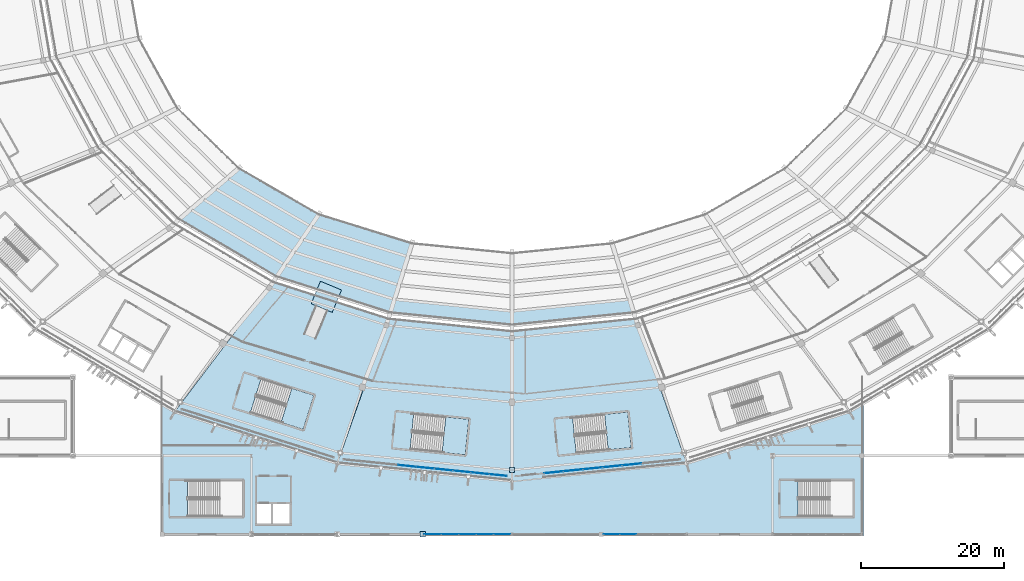
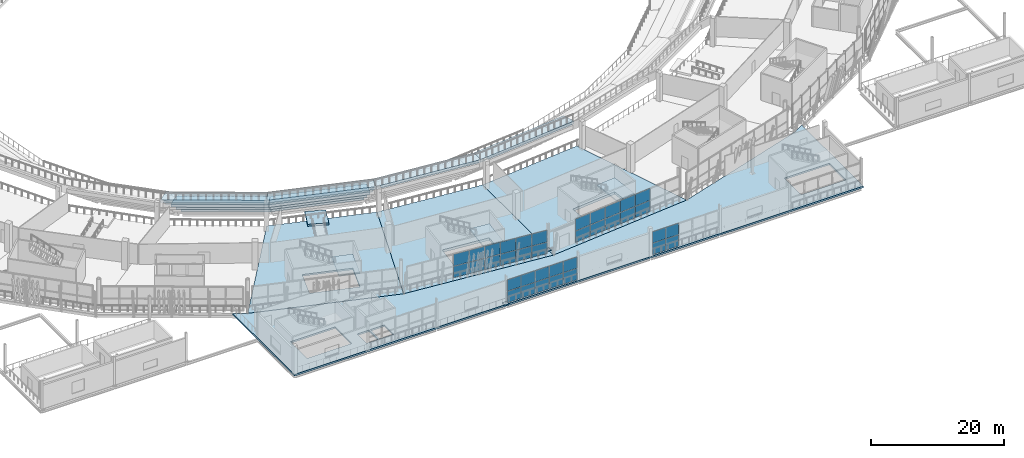
# One storey, part 91 of 178: 38 plates, 20 slabs, 7 elements without a shape of their own.
"""IFC4 building model written with IfcOpenShell, lengths in metres."""

from ifc_helpers import new_model, si_unit, direction, frame, origin, origin_2d, place, context, subcontext, project, spatial, polyline, rectangle, outline, extrude, material, layer, layer_set, type_object, element, aggregate, save


model = new_model("IFC4")

# Units and contexts
model_context = context("Model", 3, precision=1e-05, world=origin(), true_north=direction((0.0, 1.0)))
body_context = subcontext(model_context, "Body", "Model", "MODEL_VIEW")
ifc_project = project(units=[si_unit("LENGTHUNIT", "METRE"), si_unit("AREAUNIT", "SQUARE_METRE"), si_unit("VOLUMEUNIT", "CUBIC_METRE"), si_unit("PLANEANGLEUNIT", "RADIAN"), si_unit("MASSUNIT", "GRAM", prefix="KILO")], contexts=[model_context])

# Site, building, storey
site_placement = place(None, origin())
site = spatial("IfcSite", under=ifc_project, at=site_placement, CompositionType="ELEMENT")
building_placement = place(site_placement, origin())
building = spatial("IfcBuilding", under=site, at=building_placement, Name="Zlatoyarsky Gate Stadium", CompositionType="ELEMENT")
storey_placement = place(building_placement, frame((0.0, 0.0, 5.39990234375)))
storey = spatial("IfcBuildingStorey", under=building, at=storey_placement, Name="L01", CompositionType="ELEMENT", Elevation=5.39990234375)

# Curtain wall, plates
ifc_material_1 = material(Name="Thermally broken anodised aluminium curtain wall", Category="aluminium")
curtain_wall_type_1 = type_object("IfcCurtainWallType", Name="MONUMENTAL ARCHED GATE GLAZING LOWER", PredefinedType="USERDEFINED", material=ifc_material_1)
curtain_wall_1_placement = place(storey_placement, origin())
curtain_wall_1 = element("IfcCurtainWall", 1, at=curtain_wall_1_placement, inside=storey, type_object=curtain_wall_type_1, Name="Curtain wall CW-L01-18", ObjectType="ARCHED GATE GLAZING", PredefinedType="USERDEFINED")
ifc_material_2 = material(Name="Triple-glazed argon low-e architectural glass", Category="glass")
ifc_layer_1 = layer(ifc_material_2, 0.0458984375)
ifc_layer_set_1 = layer_set([ifc_layer_1], Name="Triple-glazed argon low-e architectural glass")
plate_type_1 = type_object("IfcPlateType", Name="ACOUSTIC LAMINATED GATE GLAZING PANEL 46", PredefinedType="CURTAIN_PANEL", material=ifc_layer_set_1)
plate_1_placement = place(storey_placement, frame((116.81982421875, 8.67822265625, 0.074951171875), z_axis=(0.0, 0.0, 1.0), x_axis=(0.994956958498, 0.100302795257, 0.0)))
plate_1 = element("IfcPlate", 2, at=plate_1_placement, type_object=plate_type_1, Name="CW-AG1 panel 1.1", PredefinedType="CURTAIN_PANEL", context=body_context, shape_type="SweptSolid", body=[
    extrude(rectangle(XDim=2.648681640625, YDim=0.0458984375, at=origin_2d()), origin(), (0.0, 0.0, 1.0), 2.03759765625),
])
plate_2_placement = place(storey_placement, frame((116.81982421875, 8.67822265625, 2.1875), z_axis=(0.0, 0.0, 1.0), x_axis=(0.994956958498, 0.100302795257, 0.0)))
plate_2 = element("IfcPlate", 3, at=plate_2_placement, type_object=plate_type_1, Name="CW-AG1 panel 1.2", PredefinedType="CURTAIN_PANEL", context=body_context, shape_type="SweptSolid", body=[
    extrude(rectangle(XDim=2.648681640625, YDim=0.0458984375, at=origin_2d()), origin(), (0.0, 0.0, 1.0), 2.137451171875),
])
plate_3_placement = place(storey_placement, frame((119.548583984375, 8.953125, 0.074951171875), z_axis=(0.0, 0.0, 1.0), x_axis=(0.994956958498, 0.100302795257, 0.0)))
plate_3 = element("IfcPlate", 4, at=plate_3_placement, type_object=plate_type_1, Name="CW-AG1 panel 2.1", PredefinedType="CURTAIN_PANEL", context=body_context, shape_type="SweptSolid", body=[
    extrude(rectangle(XDim=2.686279296875, YDim=0.0458984375, at=origin_2d()), origin(), (0.0, 0.0, 1.0), 2.03759765625),
])
plate_4_placement = place(storey_placement, frame((119.548583984375, 8.953125, 2.1875), z_axis=(0.0, 0.0, 1.0), x_axis=(0.994956958498, 0.100302795257, 0.0)))
plate_4 = element("IfcPlate", 5, at=plate_4_placement, type_object=plate_type_1, Name="CW-AG1 panel 2.2", PredefinedType="CURTAIN_PANEL", context=body_context, shape_type="SweptSolid", body=[
    extrude(rectangle(XDim=2.686279296875, YDim=0.0458984375, at=origin_2d()), origin(), (0.0, 0.0, 1.0), 2.137451171875),
])
plate_5_placement = place(storey_placement, frame((122.2958984375, 9.230224609375, 0.074951171875), z_axis=(0.0, 0.0, 1.0), x_axis=(0.994956958498, 0.100302795257, 0.0)))
plate_5 = element("IfcPlate", 6, at=plate_5_placement, type_object=plate_type_1, Name="CW-AG1 panel 3.1", PredefinedType="CURTAIN_PANEL", context=body_context, shape_type="SweptSolid", body=[
    extrude(rectangle(XDim=2.686279296875, YDim=0.0458984375, at=origin_2d()), origin(), (0.0, 0.0, 1.0), 2.03759765625),
])
plate_6_placement = place(storey_placement, frame((122.2958984375, 9.230224609375, 2.1875), z_axis=(0.0, 0.0, 1.0), x_axis=(0.994956958498, 0.100302795257, 0.0)))
plate_6 = element("IfcPlate", 7, at=plate_6_placement, type_object=plate_type_1, Name="CW-AG1 panel 3.2", PredefinedType="CURTAIN_PANEL", context=body_context, shape_type="SweptSolid", body=[
    extrude(rectangle(XDim=2.686279296875, YDim=0.0458984375, at=origin_2d()), origin(), (0.0, 0.0, 1.0), 2.137451171875),
])
plate_7_placement = place(storey_placement, frame((125.043212890625, 9.507080078125, 0.074951171875), z_axis=(0.0, 0.0, 1.0), x_axis=(0.994956958498, 0.100302795257, 0.0)))
plate_7 = element("IfcPlate", 8, at=plate_7_placement, type_object=plate_type_1, Name="CW-AG1 panel 4.1", PredefinedType="CURTAIN_PANEL", context=body_context, shape_type="SweptSolid", body=[
    extrude(rectangle(XDim=2.686279296875, YDim=0.0458984375, at=origin_2d()), origin(), (0.0, 0.0, 1.0), 2.03759765625),
])
plate_8_placement = place(storey_placement, frame((125.043212890625, 9.507080078125, 2.1875), z_axis=(0.0, 0.0, 1.0), x_axis=(0.994956958498, 0.100302795257, 0.0)))
plate_8 = element("IfcPlate", 9, at=plate_8_placement, type_object=plate_type_1, Name="CW-AG1 panel 4.2", PredefinedType="CURTAIN_PANEL", context=body_context, shape_type="SweptSolid", body=[
    extrude(rectangle(XDim=2.686279296875, YDim=0.0458984375, at=origin_2d()), origin(), (0.0, 0.0, 1.0), 2.137451171875),
])
plate_9_placement = place(storey_placement, frame((127.790283203125, 9.7841796875, 0.074951171875), z_axis=(0.0, 0.0, 1.0), x_axis=(0.994956958498, 0.100302795257, 0.0)))
plate_9 = element("IfcPlate", 10, at=plate_9_placement, type_object=plate_type_1, Name="CW-AG1 panel 5.1", PredefinedType="CURTAIN_PANEL", context=body_context, shape_type="SweptSolid", body=[
    extrude(rectangle(XDim=2.686279296875, YDim=0.0458984375, at=origin_2d()), origin(), (0.0, 0.0, 1.0), 2.03759765625),
])
plate_10_placement = place(storey_placement, frame((127.790283203125, 9.7841796875, 2.1875), z_axis=(0.0, 0.0, 1.0), x_axis=(0.994956958498, 0.100302795257, 0.0)))
plate_10 = element("IfcPlate", 11, at=plate_10_placement, type_object=plate_type_1, Name="CW-AG1 panel 5.2", PredefinedType="CURTAIN_PANEL", context=body_context, shape_type="SweptSolid", body=[
    extrude(rectangle(XDim=2.686279296875, YDim=0.0458984375, at=origin_2d()), origin(), (0.0, 0.0, 1.0), 2.137451171875),
])
aggregate(curtain_wall_1, [plate_1, plate_2, plate_3, plate_4, plate_5, plate_6, plate_7, plate_8, plate_9, plate_10])

# Slabs
ifc_material_3 = material(Name="Concrete C40/50", Category="concrete")
ifc_layer_2 = layer(ifc_material_3, 0.360107421875)
ifc_layer_set_2 = layer_set([ifc_layer_2], Name="Concrete C40/50")
slab_type_1 = type_object("IfcSlabType", Name="CONCRETE ACCESSIBLE PLATFORM SLAB 360", PredefinedType="FLOOR", material=ifc_layer_set_2)
slab_1_placement = place(storey_placement, origin())
element("IfcSlab", 12, at=slab_1_placement, inside=storey, type_object=slab_type_1, Name="L01 accessible viewing platform at AR-06", PredefinedType="FLOOR", context=body_context, shape_type="SweptSolid", body=[
    extrude(outline(polyline([(85.8125, 31.0869140625), (87.113525390625, 34.22802734375), (84.156982421875, 35.45263671875), (82.85595703125, 32.3115234375), (85.8125, 31.0869140625)])), origin(), (0.0, 0.0, 1.0), 0.360107421875),
])
ifc_layer_3 = layer(ifc_material_3, 0.300048828125)
ifc_layer_set_3 = layer_set([ifc_layer_3], Name="Concrete C40/50")
slab_type_2 = type_object("IfcSlabType", Name="CONCRETE CONCOURSE SLAB 300", PredefinedType="FLOOR", material=ifc_layer_set_3)
slab_2_placement = place(storey_placement, frame((0.0, 0.0, -0.2998046875)))
element("IfcSlab", 13, at=slab_2_placement, inside=storey, type_object=slab_type_2, Name="L01 bowl sector 16 slab", PredefinedType="FLOOR", context=body_context, shape_type="SweptSolid", body=[
    extrude(outline(polyline([(93.7109375, 30.351318359375), (86.513427734375, 9.865478515625), (63.69580078125, 17.119140625), (77.60009765625, 35.486328125), (93.7109375, 30.351318359375)]), holes=[polyline([(75.854248046875, 21.802978515625), (74.3466796875, 17.035888671875), (81.736083984375, 14.69921875), (83.24365234375, 19.46630859375), (75.854248046875, 21.802978515625)])]), origin(), (0.0, 0.0, 1.0), 0.2998046875),
])
slab_3_placement = place(storey_placement, frame((0.0, 0.0, -0.2998046875)))
element("IfcSlab", 14, at=slab_3_placement, inside=storey, type_object=slab_type_2, Name="L01 wing V3_SOUTH slab", PredefinedType="FLOOR", context=body_context, shape_type="SweptSolid", body=[
    extrude(outline(polyline([(61.760009765625, 18.259033203125), (63.69580078125, 17.119140625), (86.513427734375, 9.865478515625), (111.0, 7.3916015625), (135.486572265625, 9.865478515625), (158.30419921875, 17.119140625), (160.239990234375, 18.259033203125), (160.239990234375, -0.239990234375), (61.760009765625, -0.239990234375), (61.760009765625, 18.259033203125)]), holes=[polyline([(75.25, 1.449951171875), (77.25, 1.449951171875), (77.25, 4.25), (75.25, 4.25), (75.25, 1.449951171875)]), polyline([(77.5, 1.449951171875), (79.89990234375, 1.449951171875), (79.89990234375, 4.25), (77.5, 4.25), (77.5, 1.449951171875)]), polyline([(73.300048828125, 2.5), (73.300048828125, 7.5), (65.550048828125, 7.5), (65.550048828125, 2.5), (73.300048828125, 2.5)]), polyline([(151.050048828125, 2.5), (158.800048828125, 2.5), (158.800048828125, 7.5), (151.050048828125, 7.5), (151.050048828125, 2.5)])]), origin(), (0.0, 0.0, 1.0), 0.2998046875),
])
ifc_layer_4 = layer(ifc_material_3, 0.4599609375)
ifc_layer_set_4 = layer_set([ifc_layer_4], Name="Concrete C40/50")
slab_type_3 = type_object("IfcSlabType", Name="CONCRETE PORTAL TRANSFER SLAB 460", PredefinedType="USERDEFINED", material=ifc_layer_set_4)
slab_4_placement = place(storey_placement, frame((0.0, 0.0, -0.4599609375)))
element("IfcSlab", 15, at=slab_4_placement, inside=storey, type_object=slab_type_3, Name="L01 bowl sector 17 slab", ObjectType="TRANSFER SLAB", PredefinedType="USERDEFINED", context=body_context, shape_type="SweptSolid", body=[
    extrude(outline(polyline([(111.0, 28.60009765625), (111.0, 7.3916015625), (86.513427734375, 9.865478515625), (93.7109375, 30.351318359375), (111.0, 28.60009765625)]), holes=[polyline([(97.23046875, 16.884033203125), (96.73046875, 11.9091796875), (104.441650390625, 11.134033203125), (104.941650390625, 16.109130859375), (97.23046875, 16.884033203125)])]), origin(), (0.0, 0.0, 1.0), 0.4599609375),
])
slab_5_placement = place(storey_placement, frame((0.0, 0.0, -0.4599609375)))
element("IfcSlab", 16, at=slab_5_placement, inside=storey, type_object=slab_type_3, Name="L01 bowl sector 18 slab", ObjectType="TRANSFER SLAB", PredefinedType="USERDEFINED", context=body_context, shape_type="SweptSolid", body=[
    extrude(outline(polyline([(128.2890625, 30.351318359375), (135.486572265625, 9.865478515625), (111.0, 7.3916015625), (111.0, 28.60009765625), (128.2890625, 30.351318359375)]), holes=[polyline([(119.99609375, 11.379150390625), (127.707275390625, 12.154296875), (127.207275390625, 17.129150390625), (119.49609375, 16.35400390625), (119.99609375, 11.379150390625)])]), origin(), (0.0, 0.0, 1.0), 0.4599609375),
])

# Stair, slab
stair_type = type_object("IfcStairType", Name="CONCRETE DOGLEG EXIT STAIR H5200", PredefinedType="TWO_STRAIGHT_RUN_STAIR", material=ifc_material_3)
stair_1_placement = place(storey_placement, origin())
stair_1 = element("IfcStair", 17, at=stair_1_placement, inside=storey, type_object=stair_type, Name="L01 Exit Stair ST-09", PredefinedType="TWO_STRAIGHT_RUN_STAIR")
ifc_layer_5 = layer(ifc_material_3, 0.199951171875)
ifc_layer_set_5 = layer_set([ifc_layer_5], Name="Concrete C40/50")
slab_type_4 = type_object("IfcSlabType", Name="CONCRETE STAIR LANDING SLAB 200", PredefinedType="LANDING", material=ifc_layer_set_5)
slab_6_placement = place(storey_placement, frame((0.0, 0.0, 2.400146484375)))
slab_6 = element("IfcSlab", 18, at=slab_6_placement, type_object=slab_type_4, Name="ST-DG52 landing 1", PredefinedType="LANDING", context=body_context, shape_type="SweptSolid", body=[
    extrude(outline(polyline([(78.63720703125, 15.678955078125), (81.736083984375, 14.69921875), (83.24365234375, 19.46630859375), (80.144775390625, 20.4462890625), (78.63720703125, 15.678955078125)])), origin(), (0.0, 0.0, 1.0), 0.199951171875),
])
aggregate(stair_1, [slab_6])

stair_2_placement = place(storey_placement, origin())
stair_2 = element("IfcStair", 19, at=stair_2_placement, inside=storey, type_object=stair_type, Name="L01 Exit Stair ST-10", PredefinedType="TWO_STRAIGHT_RUN_STAIR")
slab_7_placement = place(storey_placement, frame((0.0, 0.0, 2.400146484375)))
slab_7 = element("IfcSlab", 20, at=slab_7_placement, type_object=slab_type_4, Name="ST-DG52 landing 1", PredefinedType="LANDING", context=body_context, shape_type="SweptSolid", body=[
    extrude(outline(polyline([(124.4736328125, 11.829345703125), (127.707275390625, 12.154296875), (127.207275390625, 17.129150390625), (123.9736328125, 16.80419921875), (124.4736328125, 11.829345703125)])), origin(), (0.0, 0.0, 1.0), 0.199951171875),
])
aggregate(stair_2, [slab_7])

stair_3_placement = place(storey_placement, origin())
stair_3 = element("IfcStair", 21, at=stair_3_placement, inside=storey, type_object=stair_type, Name="L01 Exit Stair ST-19", PredefinedType="TWO_STRAIGHT_RUN_STAIR")
slab_8_placement = place(storey_placement, frame((0.0, 0.0, 2.400146484375)))
slab_8 = element("IfcSlab", 22, at=slab_8_placement, type_object=slab_type_4, Name="ST-DG52 landing 1", PredefinedType="LANDING", context=body_context, shape_type="SweptSolid", body=[
    extrude(outline(polyline([(101.207763671875, 11.459228515625), (104.441650390625, 11.134033203125), (104.941650390625, 16.109130859375), (101.7080078125, 16.43408203125), (101.207763671875, 11.459228515625)])), origin(), (0.0, 0.0, 1.0), 0.199951171875),
])
aggregate(stair_3, [slab_8])

# Slabs
ifc_material_4 = material(Name="Precast concrete C40/50", Category="concrete")
ifc_layer_6 = layer(ifc_material_4, 0.52001953125)
ifc_layer_set_6 = layer_set([ifc_layer_6], Name="Precast concrete C40/50")
slab_type_5 = type_object("IfcSlabType", Name="PRECAST LOWER SEATING TIER UNIT 520", PredefinedType="USERDEFINED", material=ifc_layer_set_6)
slab_9_placement = place(storey_placement, frame((0.0, 0.0, -3.869873046875)))
element("IfcSlab", 23, at=slab_9_placement, inside=storey, type_object=slab_type_5, Name="Lower seating tier sector 15 row 1", ObjectType="SEATING TIER", PredefinedType="USERDEFINED", context=body_context, shape_type="SweptSolid", body=[
    extrude(outline(polyline([(72.816162109375, 51.3623046875), (71.0908203125, 49.905517578125), (82.780029296875, 43.14208984375), (84.0, 44.926025390625), (72.816162109375, 51.3623046875)])), origin(), (0.0, 0.0, 1.0), 0.52001953125),
])
slab_10_placement = place(storey_placement, frame((0.0, 0.0, -1.969970703125)))
element("IfcSlab", 24, at=slab_10_placement, inside=storey, type_object=slab_type_5, Name="Lower seating tier sector 15 row 2", ObjectType="SEATING TIER", PredefinedType="USERDEFINED", context=body_context, shape_type="SweptSolid", body=[
    extrude(outline(polyline([(71.0908203125, 49.905517578125), (69.365478515625, 48.448974609375), (81.56005859375, 41.35791015625), (82.780029296875, 43.14208984375), (71.0908203125, 49.905517578125)])), origin(), (0.0, 0.0, 1.0), 0.52001953125),
])
slab_11_placement = place(storey_placement, frame((0.0, 0.0, -0.06982421875)))
element("IfcSlab", 25, at=slab_11_placement, inside=storey, type_object=slab_type_5, Name="Lower seating tier sector 15 row 3", ObjectType="SEATING TIER", PredefinedType="USERDEFINED", context=body_context, shape_type="SweptSolid", body=[
    extrude(outline(polyline([(69.365478515625, 48.448974609375), (67.64013671875, 46.9921875), (80.340087890625, 39.573974609375), (81.56005859375, 41.35791015625), (69.365478515625, 48.448974609375)])), origin(), (0.0, 0.0, 1.0), 0.52001953125),
])
slab_12_placement = place(storey_placement, frame((0.0, 0.0, 1.830078125)))
element("IfcSlab", 26, at=slab_12_placement, inside=storey, type_object=slab_type_5, Name="Lower seating tier sector 15 row 4", ObjectType="SEATING TIER", PredefinedType="USERDEFINED", context=body_context, shape_type="SweptSolid", body=[
    extrude(outline(polyline([(67.64013671875, 46.9921875), (65.914794921875, 45.53564453125), (79.1201171875, 37.789794921875), (80.340087890625, 39.573974609375), (67.64013671875, 46.9921875)])), origin(), (0.0, 0.0, 1.0), 0.52001953125),
])
slab_13_placement = place(storey_placement, frame((0.0, 0.0, 3.72998046875)))
element("IfcSlab", 27, at=slab_13_placement, inside=storey, type_object=slab_type_5, Name="Lower seating tier sector 15 row 5", ObjectType="SEATING TIER", PredefinedType="USERDEFINED", context=body_context, shape_type="SweptSolid", body=[
    extrude(outline(polyline([(65.914794921875, 45.53564453125), (64.189453125, 44.0791015625), (77.89990234375, 36.005859375), (79.1201171875, 37.789794921875), (65.914794921875, 45.53564453125)])), origin(), (0.0, 0.0, 1.0), 0.52001953125),
])
slab_14_placement = place(storey_placement, frame((0.0, 0.0, -3.869873046875)))
element("IfcSlab", 28, at=slab_14_placement, inside=storey, type_object=slab_type_5, Name="Lower seating tier sector 16 row 1", ObjectType="SEATING TIER", PredefinedType="USERDEFINED", context=body_context, shape_type="SweptSolid", body=[
    extrude(outline(polyline([(84.0, 44.926025390625), (82.780029296875, 43.14208984375), (96.392333984375, 38.89013671875), (97.023681640625, 40.8798828125), (84.0, 44.926025390625)])), origin(), (0.0, 0.0, 1.0), 0.52001953125),
])
slab_15_placement = place(storey_placement, frame((0.0, 0.0, -1.969970703125)))
element("IfcSlab", 29, at=slab_15_placement, inside=storey, type_object=slab_type_5, Name="Lower seating tier sector 16 row 2", ObjectType="SEATING TIER", PredefinedType="USERDEFINED", context=body_context, shape_type="SweptSolid", body=[
    extrude(outline(polyline([(82.780029296875, 43.14208984375), (81.56005859375, 41.35791015625), (95.7607421875, 36.900390625), (96.392333984375, 38.89013671875), (82.780029296875, 43.14208984375)])), origin(), (0.0, 0.0, 1.0), 0.52001953125),
])
slab_16_placement = place(storey_placement, frame((0.0, 0.0, -0.06982421875)))
element("IfcSlab", 30, at=slab_16_placement, inside=storey, type_object=slab_type_5, Name="Lower seating tier sector 16 row 3", ObjectType="SEATING TIER", PredefinedType="USERDEFINED", context=body_context, shape_type="SweptSolid", body=[
    extrude(outline(polyline([(81.56005859375, 41.35791015625), (80.340087890625, 39.573974609375), (95.129150390625, 34.91064453125), (95.7607421875, 36.900390625), (81.56005859375, 41.35791015625)])), origin(), (0.0, 0.0, 1.0), 0.52001953125),
])
slab_17_placement = place(storey_placement, frame((0.0, 0.0, 1.830078125)))
element("IfcSlab", 31, at=slab_17_placement, inside=storey, type_object=slab_type_5, Name="Lower seating tier sector 16 row 4", ObjectType="SEATING TIER", PredefinedType="USERDEFINED", context=body_context, shape_type="SweptSolid", body=[
    extrude(outline(polyline([(80.340087890625, 39.573974609375), (79.1201171875, 37.789794921875), (94.497802734375, 32.9208984375), (95.129150390625, 34.91064453125), (80.340087890625, 39.573974609375)])), origin(), (0.0, 0.0, 1.0), 0.52001953125),
])
slab_18_placement = place(storey_placement, frame((0.0, 0.0, 3.72998046875)))
element("IfcSlab", 32, at=slab_18_placement, inside=storey, type_object=slab_type_5, Name="Lower seating tier sector 16 row 5", ObjectType="SEATING TIER", PredefinedType="USERDEFINED", context=body_context, shape_type="SweptSolid", body=[
    extrude(outline(polyline([(79.1201171875, 37.789794921875), (77.89990234375, 36.005859375), (93.8662109375, 30.930908203125), (94.497802734375, 32.9208984375), (79.1201171875, 37.789794921875)])), origin(), (0.0, 0.0, 1.0), 0.52001953125),
])
slab_19_placement = place(storey_placement, frame((0.0, 0.0, 3.72998046875)))
element("IfcSlab", 33, at=slab_19_placement, inside=storey, type_object=slab_type_5, Name="Lower seating tier sector 17 row 5", ObjectType="SEATING TIER", PredefinedType="USERDEFINED", context=body_context, shape_type="SweptSolid", body=[
    extrude(outline(polyline([(94.497802734375, 32.9208984375), (93.8662109375, 30.930908203125), (111.0, 29.199951171875), (111.0, 31.260009765625), (94.497802734375, 32.9208984375)])), origin(), (0.0, 0.0, 1.0), 0.52001953125),
])
slab_20_placement = place(storey_placement, frame((0.0, 0.0, 3.72998046875)))
element("IfcSlab", 34, at=slab_20_placement, inside=storey, type_object=slab_type_5, Name="Lower seating tier sector 18 row 5", ObjectType="SEATING TIER", PredefinedType="USERDEFINED", context=body_context, shape_type="SweptSolid", body=[
    extrude(outline(polyline([(111.0, 31.260009765625), (111.0, 29.199951171875), (128.1337890625, 30.930908203125), (127.502197265625, 32.9208984375), (111.0, 31.260009765625)])), origin(), (0.0, 0.0, 1.0), 0.52001953125),
])

# Plates
ifc_material_5 = material(Name="Steel S355", Category="steel")
ifc_layer_7 = layer(ifc_material_5, 0.0400390625)
ifc_layer_set_7 = layer_set([ifc_layer_7], Name="Steel S355")
plate_type_2 = type_object("IfcPlateType", Name="STEEL COLUMN BASE PLATE 40", PredefinedType="USERDEFINED", material=ifc_layer_set_7)
for number, where, z_axis, x_axis, name in (
    (35, (111.0, 9.0, 0.0), (0.0, 0.0, 1.0), (1.0, 0.0, 0.0), "Column base plate BP-01 at RC-18 L01"),
    (36, (98.5, 0.0, 0.0), (0.0, 0.0, 1.0), (1.0, 0.0, 0.0), "Column base plate BP-01 at WG-9-A L01"),
):
    element("IfcPlate", number, at=place(storey_placement, frame(where, z_axis=z_axis, x_axis=x_axis)), inside=storey, type_object=plate_type_2, Name=name, ObjectType="BASE PLATE", PredefinedType="USERDEFINED", context=body_context, shape_type="SweptSolid", body=[
        extrude(rectangle(XDim=0.75, YDim=0.75, at=origin_2d()), origin(), (0.0, 0.0, 1.0), 0.0400390625),
    ])

# Curtain wall, plates
curtain_wall_type_2 = type_object("IfcCurtainWallType", Name="UNITISED HOSPITALITY GLAZING L01", PredefinedType="USERDEFINED", material=ifc_material_1)
curtain_wall_2_placement = place(storey_placement, origin())
curtain_wall_2 = element("IfcCurtainWall", 37, at=curtain_wall_2_placement, inside=storey, type_object=curtain_wall_type_2, Name="Curtain wall CW-L01-17", ObjectType="UNITISED GLAZING", PredefinedType="USERDEFINED")
ifc_layer_8 = layer(ifc_material_2, 0.0380859375)
ifc_layer_set_8 = layer_set([ifc_layer_8], Name="Triple-glazed argon low-e architectural glass")
plate_type_3 = type_object("IfcPlateType", Name="TRIPLE GLAZED LOW E CURTAIN PANEL 38", PredefinedType="CURTAIN_PANEL", material=ifc_layer_set_8)
plate_11_placement = place(storey_placement, frame((96.29052734375, 9.574462890625, 0.06494140625), z_axis=(0.0, 0.0, 1.0), x_axis=(0.99495720457, -0.100300354307, 0.0)))
plate_11 = element("IfcPlate", 38, at=plate_11_placement, type_object=plate_type_3, Name="CW-UG1 panel 4.1", PredefinedType="CURTAIN_PANEL", context=body_context, shape_type="SweptSolid", body=[
    extrude(rectangle(XDim=2.5048828125, YDim=0.0380859375, at=origin_2d()), origin(), (0.0, 0.0, 1.0), 2.052490234375),
])
plate_12_placement = place(storey_placement, frame((96.29052734375, 9.574462890625, 2.1826171875), z_axis=(0.0, 0.0, 1.0), x_axis=(0.99495720457, -0.100300354307, 0.0)))
plate_12 = element("IfcPlate", 39, at=plate_12_placement, type_object=plate_type_3, Name="CW-UG1 panel 4.2", PredefinedType="CURTAIN_PANEL", context=body_context, shape_type="SweptSolid", body=[
    extrude(rectangle(XDim=2.5048828125, YDim=0.0380859375, at=origin_2d()), origin(), (0.0, 0.0, 1.0), 2.152587890625),
])
plate_13_placement = place(storey_placement, frame((98.847412109375, 9.316650390625, 0.06494140625), z_axis=(0.0, 0.0, 1.0), x_axis=(0.99495720457, -0.100300354307, 0.0)))
plate_13 = element("IfcPlate", 40, at=plate_13_placement, type_object=plate_type_3, Name="CW-UG1 panel 5.1", PredefinedType="CURTAIN_PANEL", context=body_context, shape_type="SweptSolid", body=[
    extrude(rectangle(XDim=2.5048828125, YDim=0.0380859375, at=origin_2d()), origin(), (0.0, 0.0, 1.0), 2.052490234375),
])
plate_14_placement = place(storey_placement, frame((98.847412109375, 9.316650390625, 2.1826171875), z_axis=(0.0, 0.0, 1.0), x_axis=(0.99495720457, -0.100300354307, 0.0)))
plate_14 = element("IfcPlate", 41, at=plate_14_placement, type_object=plate_type_3, Name="CW-UG1 panel 5.2", PredefinedType="CURTAIN_PANEL", context=body_context, shape_type="SweptSolid", body=[
    extrude(rectangle(XDim=2.5048828125, YDim=0.0380859375, at=origin_2d()), origin(), (0.0, 0.0, 1.0), 2.152587890625),
])
plate_15_placement = place(storey_placement, frame((101.404296875, 9.058837890625, 0.06494140625), z_axis=(0.0, 0.0, 1.0), x_axis=(0.99495720457, -0.100300354307, 0.0)))
plate_15 = element("IfcPlate", 42, at=plate_15_placement, type_object=plate_type_3, Name="CW-UG1 panel 6.1", PredefinedType="CURTAIN_PANEL", context=body_context, shape_type="SweptSolid", body=[
    extrude(rectangle(XDim=2.5048828125, YDim=0.0380859375, at=origin_2d()), origin(), (0.0, 0.0, 1.0), 2.052490234375),
])
plate_16_placement = place(storey_placement, frame((101.404296875, 9.058837890625, 2.1826171875), z_axis=(0.0, 0.0, 1.0), x_axis=(0.99495720457, -0.100300354307, 0.0)))
plate_16 = element("IfcPlate", 43, at=plate_16_placement, type_object=plate_type_3, Name="CW-UG1 panel 6.2", PredefinedType="CURTAIN_PANEL", context=body_context, shape_type="SweptSolid", body=[
    extrude(rectangle(XDim=2.5048828125, YDim=0.0380859375, at=origin_2d()), origin(), (0.0, 0.0, 1.0), 2.152587890625),
])
plate_17_placement = place(storey_placement, frame((103.961181640625, 8.801025390625, 0.06494140625), z_axis=(0.0, 0.0, 1.0), x_axis=(0.99495720457, -0.100300354307, 0.0)))
plate_17 = element("IfcPlate", 44, at=plate_17_placement, type_object=plate_type_3, Name="CW-UG1 panel 7.1", PredefinedType="CURTAIN_PANEL", context=body_context, shape_type="SweptSolid", body=[
    extrude(rectangle(XDim=2.5048828125, YDim=0.0380859375, at=origin_2d()), origin(), (0.0, 0.0, 1.0), 2.052490234375),
])
plate_18_placement = place(storey_placement, frame((103.961181640625, 8.801025390625, 2.1826171875), z_axis=(0.0, 0.0, 1.0), x_axis=(0.99495720457, -0.100300354307, 0.0)))
plate_18 = element("IfcPlate", 45, at=plate_18_placement, type_object=plate_type_3, Name="CW-UG1 panel 7.2", PredefinedType="CURTAIN_PANEL", context=body_context, shape_type="SweptSolid", body=[
    extrude(rectangle(XDim=2.5048828125, YDim=0.0380859375, at=origin_2d()), origin(), (0.0, 0.0, 1.0), 2.152587890625),
])
plate_19_placement = place(storey_placement, frame((106.51806640625, 8.543212890625, 0.06494140625), z_axis=(0.0, 0.0, 1.0), x_axis=(0.99495720457, -0.100300354307, 0.0)))
plate_19 = element("IfcPlate", 46, at=plate_19_placement, type_object=plate_type_3, Name="CW-UG1 panel 8.1", PredefinedType="CURTAIN_PANEL", context=body_context, shape_type="SweptSolid", body=[
    extrude(rectangle(XDim=2.5048828125, YDim=0.0380859375, at=origin_2d()), origin(), (0.0, 0.0, 1.0), 2.052490234375),
])
plate_20_placement = place(storey_placement, frame((106.51806640625, 8.543212890625, 2.1826171875), z_axis=(0.0, 0.0, 1.0), x_axis=(0.99495720457, -0.100300354307, 0.0)))
plate_20 = element("IfcPlate", 47, at=plate_20_placement, type_object=plate_type_3, Name="CW-UG1 panel 8.2", PredefinedType="CURTAIN_PANEL", context=body_context, shape_type="SweptSolid", body=[
    extrude(rectangle(XDim=2.5048828125, YDim=0.0380859375, at=origin_2d()), origin(), (0.0, 0.0, 1.0), 2.152587890625),
])
plate_21_placement = place(storey_placement, frame((109.05859375, 8.287109375, 0.06494140625), z_axis=(0.0, 0.0, 1.0), x_axis=(0.99495720457, -0.100300354307, 0.0)))
plate_21 = element("IfcPlate", 48, at=plate_21_placement, type_object=plate_type_3, Name="CW-UG1 panel 9.1", PredefinedType="CURTAIN_PANEL", context=body_context, shape_type="SweptSolid", body=[
    extrude(rectangle(XDim=2.472412109375, YDim=0.0380859375, at=origin_2d()), origin(), (0.0, 0.0, 1.0), 2.052490234375),
])
plate_22_placement = place(storey_placement, frame((109.05859375, 8.287109375, 2.1826171875), z_axis=(0.0, 0.0, 1.0), x_axis=(0.99495720457, -0.100300354307, 0.0)))
plate_22 = element("IfcPlate", 49, at=plate_22_placement, type_object=plate_type_3, Name="CW-UG1 panel 9.2", PredefinedType="CURTAIN_PANEL", context=body_context, shape_type="SweptSolid", body=[
    extrude(rectangle(XDim=2.472412109375, YDim=0.0380859375, at=origin_2d()), origin(), (0.0, 0.0, 1.0), 2.152587890625),
])
aggregate(curtain_wall_2, [plate_11, plate_12, plate_13, plate_14, plate_15, plate_16, plate_17, plate_18, plate_19, plate_20, plate_21, plate_22])

curtain_wall_type_3 = type_object("IfcCurtainWallType", Name="WINTER GARDEN CONSERVATORY GLAZING", PredefinedType="USERDEFINED", material=ifc_material_1)
curtain_wall_3_placement = place(storey_placement, origin())
curtain_wall_3 = element("IfcCurtainWall", 50, at=curtain_wall_3_placement, inside=storey, type_object=curtain_wall_type_3, Name="Curtain wall CW-V3_SOUTH-L01-158", ObjectType="UNITISED GLAZING", PredefinedType="USERDEFINED")
plate_23_placement = place(storey_placement, frame((99.895751953125, 0.0, 0.06494140625), z_axis=(0.0, 0.0, 1.0), x_axis=(1.0, 0.0, 0.0)))
plate_23 = element("IfcPlate", 51, at=plate_23_placement, type_object=plate_type_3, Name="CW-WG1 panel 1.1", PredefinedType="CURTAIN_PANEL", context=body_context, shape_type="SweptSolid", body=[
    extrude(rectangle(XDim=2.337646484375, YDim=0.0380859375, at=origin_2d()), origin(), (0.0, 0.0, 1.0), 2.052490234375),
])
plate_24_placement = place(storey_placement, frame((99.895751953125, 0.0, 2.1826171875), z_axis=(0.0, 0.0, 1.0), x_axis=(1.0, 0.0, 0.0)))
plate_24 = element("IfcPlate", 52, at=plate_24_placement, type_object=plate_type_3, Name="CW-WG1 panel 1.2", PredefinedType="CURTAIN_PANEL", context=body_context, shape_type="SweptSolid", body=[
    extrude(rectangle(XDim=2.337646484375, YDim=0.0380859375, at=origin_2d()), origin(), (0.0, 0.0, 1.0), 2.052490234375),
])
plate_25_placement = place(storey_placement, frame((102.314697265625, 0.0, 0.06494140625), z_axis=(0.0, 0.0, 1.0), x_axis=(1.0, 0.0, 0.0)))
plate_25 = element("IfcPlate", 53, at=plate_25_placement, type_object=plate_type_3, Name="CW-WG1 panel 2.1", PredefinedType="CURTAIN_PANEL", context=body_context, shape_type="SweptSolid", body=[
    extrude(rectangle(XDim=2.3701171875, YDim=0.0380859375, at=origin_2d()), origin(), (0.0, 0.0, 1.0), 2.052490234375),
])
plate_26_placement = place(storey_placement, frame((102.314697265625, 0.0, 2.1826171875), z_axis=(0.0, 0.0, 1.0), x_axis=(1.0, 0.0, 0.0)))
plate_26 = element("IfcPlate", 54, at=plate_26_placement, type_object=plate_type_3, Name="CW-WG1 panel 2.2", PredefinedType="CURTAIN_PANEL", context=body_context, shape_type="SweptSolid", body=[
    extrude(rectangle(XDim=2.3701171875, YDim=0.0380859375, at=origin_2d()), origin(), (0.0, 0.0, 1.0), 2.052490234375),
])
plate_27_placement = place(storey_placement, frame((104.75, 0.0, 0.06494140625), z_axis=(0.0, 0.0, 1.0), x_axis=(1.0, 0.0, 0.0)))
plate_27 = element("IfcPlate", 55, at=plate_27_placement, type_object=plate_type_3, Name="CW-WG1 panel 3.1", PredefinedType="CURTAIN_PANEL", context=body_context, shape_type="SweptSolid", body=[
    extrude(rectangle(XDim=2.3701171875, YDim=0.0380859375, at=origin_2d()), origin(), (0.0, 0.0, 1.0), 2.052490234375),
])
plate_28_placement = place(storey_placement, frame((104.75, 0.0, 2.1826171875), z_axis=(0.0, 0.0, 1.0), x_axis=(1.0, 0.0, 0.0)))
plate_28 = element("IfcPlate", 56, at=plate_28_placement, type_object=plate_type_3, Name="CW-WG1 panel 3.2", PredefinedType="CURTAIN_PANEL", context=body_context, shape_type="SweptSolid", body=[
    extrude(rectangle(XDim=2.3701171875, YDim=0.0380859375, at=origin_2d()), origin(), (0.0, 0.0, 1.0), 2.052490234375),
])
plate_29_placement = place(storey_placement, frame((107.185302734375, 0.0, 0.06494140625), z_axis=(0.0, 0.0, 1.0), x_axis=(1.0, 0.0, 0.0)))
plate_29 = element("IfcPlate", 57, at=plate_29_placement, type_object=plate_type_3, Name="CW-WG1 panel 4.1", PredefinedType="CURTAIN_PANEL", context=body_context, shape_type="SweptSolid", body=[
    extrude(rectangle(XDim=2.3701171875, YDim=0.0380859375, at=origin_2d()), origin(), (0.0, 0.0, 1.0), 2.052490234375),
])
plate_30_placement = place(storey_placement, frame((107.185302734375, 0.0, 2.1826171875), z_axis=(0.0, 0.0, 1.0), x_axis=(1.0, 0.0, 0.0)))
plate_30 = element("IfcPlate", 58, at=plate_30_placement, type_object=plate_type_3, Name="CW-WG1 panel 4.2", PredefinedType="CURTAIN_PANEL", context=body_context, shape_type="SweptSolid", body=[
    extrude(rectangle(XDim=2.3701171875, YDim=0.0380859375, at=origin_2d()), origin(), (0.0, 0.0, 1.0), 2.052490234375),
])
plate_31_placement = place(storey_placement, frame((109.604248046875, 0.0, 0.06494140625), z_axis=(0.0, 0.0, 1.0), x_axis=(1.0, 0.0, 0.0)))
plate_31 = element("IfcPlate", 59, at=plate_31_placement, type_object=plate_type_3, Name="CW-WG1 panel 5.1", PredefinedType="CURTAIN_PANEL", context=body_context, shape_type="SweptSolid", body=[
    extrude(rectangle(XDim=2.337646484375, YDim=0.0380859375, at=origin_2d()), origin(), (0.0, 0.0, 1.0), 2.052490234375),
])
plate_32_placement = place(storey_placement, frame((109.604248046875, 0.0, 2.1826171875), z_axis=(0.0, 0.0, 1.0), x_axis=(1.0, 0.0, 0.0)))
plate_32 = element("IfcPlate", 60, at=plate_32_placement, type_object=plate_type_3, Name="CW-WG1 panel 5.2", PredefinedType="CURTAIN_PANEL", context=body_context, shape_type="SweptSolid", body=[
    extrude(rectangle(XDim=2.337646484375, YDim=0.0380859375, at=origin_2d()), origin(), (0.0, 0.0, 1.0), 2.052490234375),
])
aggregate(curtain_wall_3, [plate_23, plate_24, plate_25, plate_26, plate_27, plate_28, plate_29, plate_30, plate_31, plate_32])

curtain_wall_4_placement = place(storey_placement, origin())
curtain_wall_4 = element("IfcCurtainWall", 61, at=curtain_wall_4_placement, inside=storey, type_object=curtain_wall_type_3, Name="Curtain wall CW-V3_SOUTH-L01-159", ObjectType="UNITISED GLAZING", PredefinedType="USERDEFINED")
plate_33_placement = place(storey_placement, frame((124.98095703125, 0.0, 0.06494140625), z_axis=(0.0, 0.0, 1.0), x_axis=(1.0, 0.0, 0.0)))
plate_33 = element("IfcPlate", 62, at=plate_33_placement, type_object=plate_type_3, Name="CW-WG1 panel 1.1", PredefinedType="CURTAIN_PANEL", context=body_context, shape_type="SweptSolid", body=[
    extrude(rectangle(XDim=2.207763671875, YDim=0.0380859375, at=origin_2d()), origin(), (0.0, 0.0, 1.0), 2.052490234375),
])
plate_34_placement = place(storey_placement, frame((124.98095703125, 0.0, 2.1826171875), z_axis=(0.0, 0.0, 1.0), x_axis=(1.0, 0.0, 0.0)))
plate_34 = element("IfcPlate", 63, at=plate_34_placement, type_object=plate_type_3, Name="CW-WG1 panel 1.2", PredefinedType="CURTAIN_PANEL", context=body_context, shape_type="SweptSolid", body=[
    extrude(rectangle(XDim=2.207763671875, YDim=0.0380859375, at=origin_2d()), origin(), (0.0, 0.0, 1.0), 2.052490234375),
])
plate_35_placement = place(storey_placement, frame((127.269775390625, 0.0, 0.06494140625), z_axis=(0.0, 0.0, 1.0), x_axis=(1.0, 0.0, 0.0)))
plate_35 = element("IfcPlate", 64, at=plate_35_placement, type_object=plate_type_3, Name="CW-WG1 panel 2.1", PredefinedType="CURTAIN_PANEL", context=body_context, shape_type="SweptSolid", body=[
    extrude(rectangle(XDim=2.240234375, YDim=0.0380859375, at=origin_2d()), origin(), (0.0, 0.0, 1.0), 2.052490234375),
])
plate_36_placement = place(storey_placement, frame((127.269775390625, 0.0, 2.1826171875), z_axis=(0.0, 0.0, 1.0), x_axis=(1.0, 0.0, 0.0)))
plate_36 = element("IfcPlate", 65, at=plate_36_placement, type_object=plate_type_3, Name="CW-WG1 panel 2.2", PredefinedType="CURTAIN_PANEL", context=body_context, shape_type="SweptSolid", body=[
    extrude(rectangle(XDim=2.240234375, YDim=0.0380859375, at=origin_2d()), origin(), (0.0, 0.0, 1.0), 2.052490234375),
])
aggregate(curtain_wall_4, [plate_33, plate_34, plate_35, plate_36])

save(model, "model.ifc")
